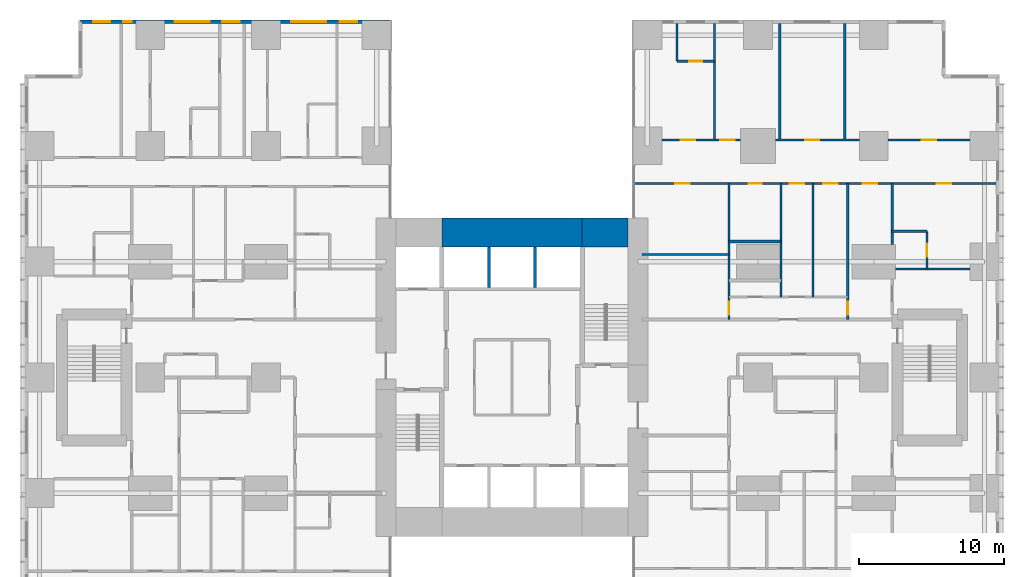
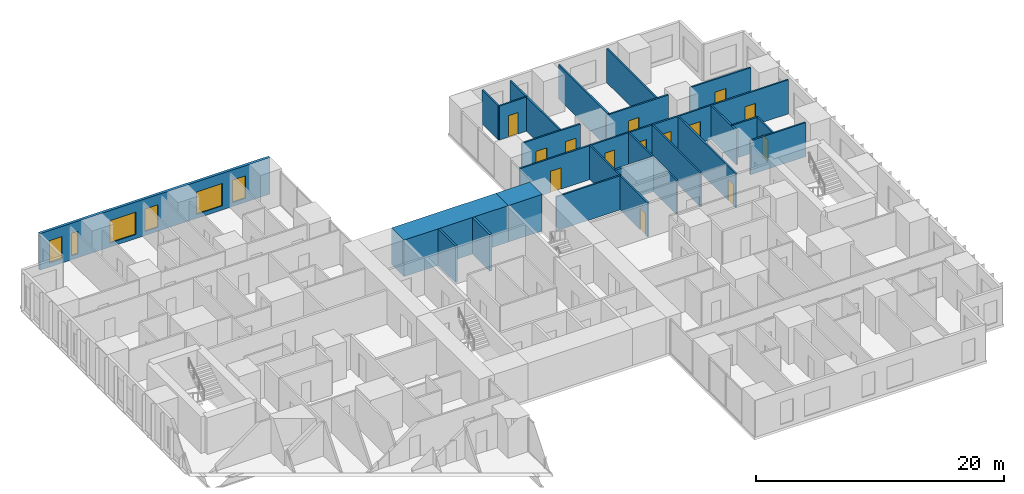
# One storey, part 18 of 21: 24 walls, 14 doors, 6 windows, 20 openings.
"""IFC4 building model written with IfcOpenShell, lengths in metres."""

from ifc_helpers import new_model, si_unit, direction, frame, frame_2d, origin, place, context, subcontext, project, spatial, rectangle, extrude, material, layer, layer_set, type_object, element, fill, save


model = new_model("IFC4")

# Units and contexts
model_context = context("Model", 3, precision=1e-05, world=origin(), true_north=direction((0.0, 1.0)))
body_context = subcontext(model_context, "Body", "Model", "MODEL_VIEW")
ifc_project = project(units=[si_unit("LENGTHUNIT", "METRE"), si_unit("AREAUNIT", "SQUARE_METRE"), si_unit("VOLUMEUNIT", "CUBIC_METRE"), si_unit("PLANEANGLEUNIT", "RADIAN"), si_unit("MASSUNIT", "GRAM", prefix="KILO")], contexts=[model_context])

# Site, building, storey
site_placement = place(None, origin())
site = spatial("IfcSite", under=ifc_project, at=site_placement, CompositionType="ELEMENT")
building_placement = place(site_placement, origin())
building = spatial("IfcBuilding", under=site, at=building_placement, Name="Cleftline Residences", CompositionType="ELEMENT")
storey_placement = place(building_placement, frame((0.0, 0.0, 125.0)))
storey = spatial("IfcBuildingStorey", under=building, at=storey_placement, Name="L32", CompositionType="ELEMENT", Elevation=125.0)

# Walls
ifc_material_1 = material(Name="Concrete B70", Category="concrete")
ifc_layer_1 = layer(ifc_material_1, 2.0)
ifc_layer_set_1 = layer_set([ifc_layer_1], Name="CORE WALL 2000")
wall_type_1 = type_object("IfcWallType", Name="CORE WALL 2000", PredefinedType="SHEAR", material=ifc_layer_set_1)
wall_1_placement = place(storey_placement, frame((28.14990234375, 34.0, 0.0), z_axis=(0.0, 0.0, 1.0), x_axis=(1.0, 0.0, 0.0)))
element("IfcWall", 1, at=wall_1_placement, inside=storey, type_object=wall_type_1, Name="Core wall N2", PredefinedType="SHEAR", context=body_context, shape_type="SweptSolid", body=[
    extrude(rectangle(XDim=9.7001953125, YDim=2.0, at=frame_2d((4.85009765625, 0.0))), origin(), (0.0, 0.0, 1.0), 3.60009765625),
])
wall_2_placement = place(storey_placement, frame((37.85009765625, 34.0, 0.0), z_axis=(0.0, 0.0, 1.0), x_axis=(1.0, 0.0, 0.0)))
element("IfcWall", 2, at=wall_2_placement, inside=storey, type_object=wall_type_1, Name="Core wall N3", PredefinedType="SHEAR", context=body_context, shape_type="SweptSolid", body=[
    extrude(rectangle(XDim=3.14990234375, YDim=2.0, at=frame_2d((1.574951171875, 0.0))), origin(), (0.0, 0.0, 1.0), 3.60009765625),
])

# Wall, openings, windows
ifc_material_2 = material(Name="Rendered reinforced concrete blockwork", Category="masonry")
ifc_layer_2 = layer(ifc_material_2, 0.25)
ifc_layer_set_2 = layer_set([ifc_layer_2], Name="EXTERNAL WALL 250")
wall_type_2 = type_object("IfcWallType", Name="EXTERNAL WALL 250", PredefinedType="SOLIDWALL", material=ifc_layer_set_2)
wall_3_placement = place(storey_placement, frame((24.574951171875, 48.574951171875, 0.0), z_axis=(0.0, 0.0, 1.0), x_axis=(-1.0, 0.0, 0.0)))
wall_3 = element("IfcWall", 3, at=wall_3_placement, inside=storey, type_object=wall_type_2, Name="External wall", PredefinedType="SOLIDWALL", context=body_context, shape_type="SweptSolid", body=[
    extrude(rectangle(XDim=21.39990234375, YDim=0.25, at=frame_2d((10.699951171875, 0.0))), origin(), (0.0, 0.0, 1.0), 3.60009765625),
])
opening_1_placement = place(wall_3_placement, frame((2.27490234375, 0.0, 0.39990234375)))
opening_1 = element("IfcOpeningElement", 4, at=opening_1_placement, cuts=wall_3, Name="Opening W11", PredefinedType="OPENING", context=body_context, shape_type="SweptSolid", body=[
    extrude(rectangle(XDim=1.199951171875, YDim=2.199951171875, at=frame_2d((0.60009765625, 1.10009765625))), frame((0.0, 0.135009765625, 0.0), z_axis=(0.0, -1.0, 0.0), x_axis=(1.0, 0.0, 0.0)), (0.0, 0.0, 1.0), 0.27001953125),
])
opening_2_placement = place(wall_3_placement, frame((4.425048828125, 0.0, 0.39990234375)))
opening_2 = element("IfcOpeningElement", 5, at=opening_2_placement, cuts=wall_3, Name="Opening W12", PredefinedType="OPENING", context=body_context, shape_type="SweptSolid", body=[
    extrude(rectangle(XDim=2.39990234375, YDim=2.199951171875, at=frame_2d((1.199951171875, 1.10009765625))), frame((0.0, 0.135009765625, 0.0), z_axis=(0.0, -1.0, 0.0), x_axis=(1.0, 0.0, 0.0)), (0.0, 0.0, 1.0), 0.27001953125),
])
opening_3_placement = place(wall_3_placement, frame((10.39990234375, 0.0, 0.39990234375)))
opening_3 = element("IfcOpeningElement", 6, at=opening_3_placement, cuts=wall_3, Name="Opening W11", PredefinedType="OPENING", context=body_context, shape_type="SweptSolid", body=[
    extrude(rectangle(XDim=1.199951171875, YDim=2.199951171875, at=frame_2d((0.60009765625, 1.10009765625))), frame((0.0, 0.135009765625, 0.0), z_axis=(0.0, -1.0, 0.0), x_axis=(1.0, 0.0, 0.0)), (0.0, 0.0, 1.0), 0.27001953125),
])
opening_4_placement = place(wall_3_placement, frame((12.47509765625, 0.0, 0.39990234375)))
opening_4 = element("IfcOpeningElement", 7, at=opening_4_placement, cuts=wall_3, Name="Opening W12", PredefinedType="OPENING", context=body_context, shape_type="SweptSolid", body=[
    extrude(rectangle(XDim=2.39990234375, YDim=2.199951171875, at=frame_2d((1.199951171875, 1.10009765625))), frame((0.0, 0.135009765625, 0.0), z_axis=(0.0, -1.0, 0.0), x_axis=(1.0, 0.0, 0.0)), (0.0, 0.0, 1.0), 0.27001953125),
])
opening_5_placement = place(wall_3_placement, frame((17.85009765625, 0.0, 0.39990234375)))
opening_5 = element("IfcOpeningElement", 8, at=opening_5_placement, cuts=wall_3, Name="Opening W10", PredefinedType="OPENING", context=body_context, shape_type="SweptSolid", body=[
    extrude(rectangle(XDim=0.60009765625, YDim=2.199951171875, at=frame_2d((0.300048828125, 1.10009765625))), frame((0.0, 0.135009765625, 0.0), z_axis=(0.0, -1.0, 0.0), x_axis=(1.0, 0.0, 0.0)), (0.0, 0.0, 1.0), 0.27001953125),
])
opening_6_placement = place(wall_3_placement, frame((19.324951171875, 0.0, 0.39990234375)))
opening_6 = element("IfcOpeningElement", 9, at=opening_6_placement, cuts=wall_3, Name="Opening W11", PredefinedType="OPENING", context=body_context, shape_type="SweptSolid", body=[
    extrude(rectangle(XDim=1.199951171875, YDim=2.199951171875, at=frame_2d((0.60009765625, 1.10009765625))), frame((0.0, 0.135009765625, 0.0), z_axis=(0.0, -1.0, 0.0), x_axis=(1.0, 0.0, 0.0)), (0.0, 0.0, 1.0), 0.27001953125),
])
ifc_material_3 = material(Name="Aluminium frame, clear double glazing", Category="aluminium")
window_type_1 = type_object("IfcWindowType", Name="WINDOW 1200X2200", PartitioningType="DOUBLE_PANEL_VERTICAL", PredefinedType="WINDOW", material=ifc_material_3)
window_1_placement = place(opening_1_placement, origin())
window_1 = element("IfcWindow", 10, at=window_1_placement, inside=storey, type_object=window_type_1, Name="Window", OverallHeight=2.199951171875, OverallWidth=1.199951171875, PartitioningType="SINGLE_PANEL", PredefinedType="WINDOW", context=body_context, shape_type="SweptSolid", body=[
    extrude(rectangle(XDim=1.199951171875, YDim=2.199951171875, at=frame_2d((0.60009765625, 1.10009765625))), frame((0.0, 0.030029296875, 0.0), z_axis=(0.0, -1.0, 0.0), x_axis=(1.0, 0.0, 0.0)), (0.0, 0.0, 1.0), 0.06005859375),
])
fill(opening_1, window_1)
window_2_placement = place(opening_3_placement, origin())
window_2 = element("IfcWindow", 11, at=window_2_placement, inside=storey, type_object=window_type_1, Name="Window", OverallHeight=2.199951171875, OverallWidth=1.199951171875, PartitioningType="SINGLE_PANEL", PredefinedType="WINDOW", context=body_context, shape_type="SweptSolid", body=[
    extrude(rectangle(XDim=1.199951171875, YDim=2.199951171875, at=frame_2d((0.60009765625, 1.10009765625))), frame((0.0, 0.030029296875, 0.0), z_axis=(0.0, -1.0, 0.0), x_axis=(1.0, 0.0, 0.0)), (0.0, 0.0, 1.0), 0.06005859375),
])
fill(opening_3, window_2)
window_3_placement = place(opening_6_placement, origin())
window_3 = element("IfcWindow", 12, at=window_3_placement, inside=storey, type_object=window_type_1, Name="Window", OverallHeight=2.199951171875, OverallWidth=1.199951171875, PartitioningType="SINGLE_PANEL", PredefinedType="WINDOW", context=body_context, shape_type="SweptSolid", body=[
    extrude(rectangle(XDim=1.199951171875, YDim=2.199951171875, at=frame_2d((0.60009765625, 1.10009765625))), frame((0.0, 0.030029296875, 0.0), z_axis=(0.0, -1.0, 0.0), x_axis=(1.0, 0.0, 0.0)), (0.0, 0.0, 1.0), 0.06005859375),
])
fill(opening_6, window_3)
ifc_material_4 = material(Name="Aluminium frame, clear double glazing", Category="aluminium")
window_type_2 = type_object("IfcWindowType", Name="WINDOW 2400X2200", PartitioningType="DOUBLE_PANEL_VERTICAL", PredefinedType="WINDOW", material=ifc_material_4)
window_4_placement = place(opening_2_placement, origin())
window_4 = element("IfcWindow", 13, at=window_4_placement, inside=storey, type_object=window_type_2, Name="Window", OverallHeight=2.199951171875, OverallWidth=2.39990234375, PartitioningType="SINGLE_PANEL", PredefinedType="WINDOW", context=body_context, shape_type="SweptSolid", body=[
    extrude(rectangle(XDim=2.39990234375, YDim=2.199951171875, at=frame_2d((1.199951171875, 1.10009765625))), frame((0.0, 0.030029296875, 0.0), z_axis=(0.0, -1.0, 0.0), x_axis=(1.0, 0.0, 0.0)), (0.0, 0.0, 1.0), 0.06005859375),
])
fill(opening_2, window_4)
window_5_placement = place(opening_4_placement, origin())
window_5 = element("IfcWindow", 14, at=window_5_placement, inside=storey, type_object=window_type_2, Name="Window", OverallHeight=2.199951171875, OverallWidth=2.39990234375, PartitioningType="SINGLE_PANEL", PredefinedType="WINDOW", context=body_context, shape_type="SweptSolid", body=[
    extrude(rectangle(XDim=2.39990234375, YDim=2.199951171875, at=frame_2d((1.199951171875, 1.10009765625))), frame((0.0, 0.030029296875, 0.0), z_axis=(0.0, -1.0, 0.0), x_axis=(1.0, 0.0, 0.0)), (0.0, 0.0, 1.0), 0.06005859375),
])
fill(opening_4, window_5)
ifc_material_5 = material(Name="Aluminium frame, clear double glazing", Category="aluminium")
window_type_3 = type_object("IfcWindowType", Name="WINDOW 600X2200", PartitioningType="DOUBLE_PANEL_VERTICAL", PredefinedType="WINDOW", material=ifc_material_5)
window_6_placement = place(opening_5_placement, origin())
window_6 = element("IfcWindow", 15, at=window_6_placement, inside=storey, type_object=window_type_3, Name="Window", OverallHeight=2.199951171875, OverallWidth=0.60009765625, PartitioningType="SINGLE_PANEL", PredefinedType="WINDOW", context=body_context, shape_type="SweptSolid", body=[
    extrude(rectangle(XDim=0.60009765625, YDim=2.199951171875, at=frame_2d((0.300048828125, 1.10009765625))), frame((0.0, 0.030029296875, 0.0), z_axis=(0.0, -1.0, 0.0), x_axis=(1.0, 0.0, 0.0)), (0.0, 0.0, 1.0), 0.06005859375),
])
fill(opening_5, window_6)

# Walls
ifc_material_6 = material(Name="Concrete blockwork, fire rated", Category="masonry")
ifc_layer_3 = layer(ifc_material_6, 0.199951171875)
ifc_layer_set_3 = layer_set([ifc_layer_3], Name="FIRE WALL 200")
wall_type_3 = type_object("IfcWallType", Name="FIRE WALL 200", PredefinedType="PARTITIONING", material=ifc_layer_set_3)
wall_4_placement = place(storey_placement, frame((48.0, 33.39990234375, 0.0), z_axis=(0.0, 0.0, 1.0), x_axis=(1.0, 0.0, 0.0)))
element("IfcWall", 16, at=wall_4_placement, inside=storey, type_object=wall_type_3, Name="Fire separating wall", PredefinedType="PARTITIONING", context=body_context, shape_type="SweptSolid", body=[
    extrude(rectangle(XDim=3.60009765625, YDim=0.199951171875, at=frame_2d((1.800048828125, 0.0))), origin(), (0.0, 0.0, 1.0), 3.35009765625),
])
ifc_material_7 = material(Name="Gypsum board on steel studs", Category="steel")
ifc_layer_4 = layer(ifc_material_7, 0.14990234375)
ifc_layer_set_4 = layer_set([ifc_layer_4], Name="PARTITION 150")
wall_type_4 = type_object("IfcWallType", Name="PARTITION 150", PredefinedType="PARTITIONING", material=ifc_layer_set_4)
wall_5_placement = place(storey_placement, frame((59.5, 31.5, 0.0), z_axis=(0.0, 0.0, 1.0), x_axis=(1.0, 0.0, 0.0)))
element("IfcWall", 17, at=wall_5_placement, inside=storey, type_object=wall_type_4, Name="Partition", PredefinedType="PARTITIONING", context=body_context, shape_type="SweptSolid", body=[
    extrude(rectangle(XDim=5.14990234375, YDim=0.14990234375, at=frame_2d((2.574951171875, 0.0))), origin(), (0.0, 0.0, 1.0), 3.35009765625),
])
wall_6_placement = place(storey_placement, frame((42.0, 32.5, 0.0), z_axis=(0.0, 0.0, 1.0), x_axis=(1.0, 0.0, 0.0)))
element("IfcWall", 18, at=wall_6_placement, inside=storey, type_object=wall_type_4, Name="Partition", PredefinedType="PARTITIONING", context=body_context, shape_type="SweptSolid", body=[
    extrude(rectangle(XDim=6.0, YDim=0.14990234375, at=frame_2d((3.0, 0.0))), origin(), (0.0, 0.0, 1.0), 3.35009765625),
])
wall_7_placement = place(storey_placement, frame((59.27490234375, 34.10009765625, 0.0), z_axis=(0.0, 0.0, 1.0), x_axis=(1.0, 0.0, 0.0)))
element("IfcWall", 19, at=wall_7_placement, inside=storey, type_object=wall_type_4, Name="Partition", PredefinedType="PARTITIONING", context=body_context, shape_type="SweptSolid", body=[
    extrude(rectangle(XDim=2.400146484375, YDim=0.14990234375, at=frame_2d((1.2001953125, 0.0))), origin(), (0.0, 0.0, 1.0), 3.35009765625),
])

# Wall, openings, doors
wall_8_placement = place(storey_placement, frame((41.43896484375, 37.39990234375, 0.0), z_axis=(0.0, 0.0, 1.0), x_axis=(1.0, 0.0, 0.0)))
wall_8 = element("IfcWall", 20, at=wall_8_placement, inside=storey, type_object=wall_type_4, Name="Partition", PredefinedType="PARTITIONING", context=body_context, shape_type="SweptSolid", body=[
    extrude(rectangle(XDim=25.010986328125, YDim=0.14990234375, at=frame_2d((12.50537109375, 0.0))), origin(), (0.0, 0.0, 1.0), 3.35009765625),
])
opening_7_placement = place(wall_8_placement, frame((10.760986328125, 0.0, 0.0)))
opening_7 = element("IfcOpeningElement", 21, at=opening_7_placement, cuts=wall_8, Name="Opening D2", PredefinedType="OPENING", context=body_context, shape_type="SweptSolid", body=[
    extrude(rectangle(XDim=1.0, YDim=2.10009765625, at=frame_2d((0.5, 1.050048828125))), frame((0.0, 0.0849609375, 0.0), z_axis=(0.0, -1.0, 0.0), x_axis=(1.0, 0.0, 0.0)), (0.0, 0.0, 1.0), 0.169921875),
])
opening_8_placement = place(wall_8_placement, frame((20.923583984375, 0.0, 0.0)))
opening_8 = element("IfcOpeningElement", 22, at=opening_8_placement, cuts=wall_8, Name="Opening D2", PredefinedType="OPENING", context=body_context, shape_type="SweptSolid", body=[
    extrude(rectangle(XDim=1.0, YDim=2.10009765625, at=frame_2d((0.5, 1.050048828125))), frame((0.0, 0.0849609375, 0.0), z_axis=(0.0, -1.0, 0.0), x_axis=(1.0, 0.0, 0.0)), (0.0, 0.0, 1.0), 0.169921875),
])
opening_9_placement = place(wall_8_placement, frame((15.798583984375, 0.0, 0.0)))
opening_9 = element("IfcOpeningElement", 23, at=opening_9_placement, cuts=wall_8, Name="Opening D2", PredefinedType="OPENING", context=body_context, shape_type="SweptSolid", body=[
    extrude(rectangle(XDim=1.0, YDim=2.10009765625, at=frame_2d((0.5, 1.050048828125))), frame((0.0, 0.0849609375, 0.0), z_axis=(0.0, -1.0, 0.0), x_axis=(1.0, 0.0, 0.0)), (0.0, 0.0, 1.0), 0.169921875),
])
opening_10_placement = place(wall_8_placement, frame((13.06103515625, 0.0, 0.0)))
opening_10 = element("IfcOpeningElement", 24, at=opening_10_placement, cuts=wall_8, Name="Opening D2", PredefinedType="OPENING", context=body_context, shape_type="SweptSolid", body=[
    extrude(rectangle(XDim=1.0, YDim=2.10009765625, at=frame_2d((0.5, 1.050048828125))), frame((0.0, 0.0849609375, 0.0), z_axis=(0.0, -1.0, 0.0), x_axis=(1.0, 0.0, 0.0)), (0.0, 0.0, 1.0), 0.169921875),
])
opening_11_placement = place(wall_8_placement, frame((7.910888671875, 0.0, 0.0)))
opening_11 = element("IfcOpeningElement", 25, at=opening_11_placement, cuts=wall_8, Name="Opening D1", PredefinedType="OPENING", context=body_context, shape_type="SweptSolid", body=[
    extrude(rectangle(XDim=0.89990234375, YDim=2.10009765625, at=frame_2d((0.449951171875, 1.050048828125))), frame((0.0, 0.0849609375, 0.0), z_axis=(0.0, -1.0, 0.0), x_axis=(1.0, 0.0, 0.0)), (0.0, 0.0, 1.0), 0.169921875),
])
opening_12_placement = place(wall_8_placement, frame((2.8359375, 0.0, 0.0)))
opening_12 = element("IfcOpeningElement", 26, at=opening_12_placement, cuts=wall_8, Name="Opening D2", PredefinedType="OPENING", context=body_context, shape_type="SweptSolid", body=[
    extrude(rectangle(XDim=1.0, YDim=2.10009765625, at=frame_2d((0.5, 1.050048828125))), frame((0.0, 0.0849609375, 0.0), z_axis=(0.0, -1.0, 0.0), x_axis=(1.0, 0.0, 0.0)), (0.0, 0.0, 1.0), 0.169921875),
])
ifc_material_8 = material(Name="Timber veneer on solid core", Category="wood")
door_type_1 = type_object("IfcDoorType", Name="DOOR 1000X2100", OperationType="SINGLE_SWING_LEFT", PredefinedType="DOOR", material=ifc_material_8)
door_1_placement = place(opening_7_placement, origin())
door_1 = element("IfcDoor", 27, at=door_1_placement, inside=storey, type_object=door_type_1, Name="Door to residence hall", OperationType="SINGLE_SWING_RIGHT", OverallHeight=2.10009765625, OverallWidth=1.0, PredefinedType="DOOR", context=body_context, shape_type="SweptSolid", body=[
    extrude(rectangle(XDim=1.0, YDim=2.10009765625, at=frame_2d((0.5, 1.050048828125))), frame((0.0, 0.02490234375, 0.0), z_axis=(0.0, -1.0, 0.0), x_axis=(1.0, 0.0, 0.0)), (0.0, 0.0, 1.0), 0.050048828125),
])
fill(opening_7, door_1)
door_2_placement = place(opening_8_placement, origin())
door_2 = element("IfcDoor", 28, at=door_2_placement, inside=storey, type_object=door_type_1, Name="Door to master bedroom", OperationType="SINGLE_SWING_LEFT", OverallHeight=2.10009765625, OverallWidth=1.0, PredefinedType="DOOR", context=body_context, shape_type="SweptSolid", body=[
    extrude(rectangle(XDim=1.0, YDim=2.10009765625, at=frame_2d((0.5, 1.050048828125))), frame((0.0, 0.02490234375, 0.0), z_axis=(0.0, -1.0, 0.0), x_axis=(1.0, 0.0, 0.0)), (0.0, 0.0, 1.0), 0.050048828125),
])
fill(opening_8, door_2)
door_3_placement = place(opening_9_placement, origin())
door_3 = element("IfcDoor", 29, at=door_3_placement, inside=storey, type_object=door_type_1, Name="Door to wet kitchen", OperationType="SINGLE_SWING_LEFT", OverallHeight=2.10009765625, OverallWidth=1.0, PredefinedType="DOOR", context=body_context, shape_type="SweptSolid", body=[
    extrude(rectangle(XDim=1.0, YDim=2.10009765625, at=frame_2d((0.5, 1.050048828125))), frame((0.0, 0.02490234375, 0.0), z_axis=(0.0, -1.0, 0.0), x_axis=(1.0, 0.0, 0.0)), (0.0, 0.0, 1.0), 0.050048828125),
])
fill(opening_9, door_3)
door_4_placement = place(opening_10_placement, origin())
door_4 = element("IfcDoor", 30, at=door_4_placement, inside=storey, type_object=door_type_1, Name="Door to media room", OperationType="SINGLE_SWING_LEFT", OverallHeight=2.10009765625, OverallWidth=1.0, PredefinedType="DOOR", context=body_context, shape_type="SweptSolid", body=[
    extrude(rectangle(XDim=1.0, YDim=2.10009765625, at=frame_2d((0.5, 1.050048828125))), frame((0.0, 0.02490234375, 0.0), z_axis=(0.0, -1.0, 0.0), x_axis=(1.0, 0.0, 0.0)), (0.0, 0.0, 1.0), 0.050048828125),
])
fill(opening_10, door_4)
door_5_placement = place(opening_12_placement, origin())
door_5 = element("IfcDoor", 31, at=door_5_placement, inside=storey, type_object=door_type_1, Name="Door to study", OperationType="SINGLE_SWING_RIGHT", OverallHeight=2.10009765625, OverallWidth=1.0, PredefinedType="DOOR", context=body_context, shape_type="SweptSolid", body=[
    extrude(rectangle(XDim=1.0, YDim=2.10009765625, at=frame_2d((0.5, 1.050048828125))), frame((0.0, 0.02490234375, 0.0), z_axis=(0.0, -1.0, 0.0), x_axis=(1.0, 0.0, 0.0)), (0.0, 0.0, 1.0), 0.050048828125),
])
fill(opening_12, door_5)
ifc_material_9 = material(Name="Timber veneer on solid core", Category="wood")
door_type_2 = type_object("IfcDoorType", Name="DOOR 900X2100", OperationType="SINGLE_SWING_LEFT", PredefinedType="DOOR", material=ifc_material_9)
door_6_placement = place(opening_11_placement, origin())
door_6 = element("IfcDoor", 32, at=door_6_placement, inside=storey, type_object=door_type_2, Name="Door to bedroom 2 bathroom", OperationType="SINGLE_SWING_RIGHT", OverallHeight=2.10009765625, OverallWidth=0.89990234375, PredefinedType="DOOR", context=body_context, shape_type="SweptSolid", body=[
    extrude(rectangle(XDim=0.89990234375, YDim=2.10009765625, at=frame_2d((0.449951171875, 1.050048828125))), frame((0.0, 0.02490234375, 0.0), z_axis=(0.0, -1.0, 0.0), x_axis=(1.0, 0.0, 0.0)), (0.0, 0.0, 1.0), 0.050048828125),
])
fill(opening_11, door_6)

wall_9_placement = place(storey_placement, frame((43.35009765625, 40.39990234375, 0.0), z_axis=(0.0, 0.0, 1.0), x_axis=(1.0, 0.0, 0.0)))
wall_9 = element("IfcWall", 33, at=wall_9_placement, inside=storey, type_object=wall_type_4, Name="Partition", PredefinedType="PARTITIONING", context=body_context, shape_type="SweptSolid", body=[
    extrude(rectangle(XDim=5.449951171875, YDim=0.14990234375, at=frame_2d((2.72509765625, 0.0))), origin(), (0.0, 0.0, 1.0), 3.35009765625),
])
opening_13_placement = place(wall_9_placement, frame((4.050048828125, 0.0, 0.0)))
opening_13 = element("IfcOpeningElement", 34, at=opening_13_placement, cuts=wall_9, Name="Opening D2", PredefinedType="OPENING", context=body_context, shape_type="SweptSolid", body=[
    extrude(rectangle(XDim=1.0, YDim=2.10009765625, at=frame_2d((0.5, 1.050048828125))), frame((0.0, 0.0849609375, 0.0), z_axis=(0.0, -1.0, 0.0), x_axis=(1.0, 0.0, 0.0)), (0.0, 0.0, 1.0), 0.169921875),
])
opening_14_placement = place(wall_9_placement, frame((1.324951171875, 0.0, 0.0)))
opening_14 = element("IfcOpeningElement", 35, at=opening_14_placement, cuts=wall_9, Name="Opening D2", PredefinedType="OPENING", context=body_context, shape_type="SweptSolid", body=[
    extrude(rectangle(XDim=1.0, YDim=2.10009765625, at=frame_2d((0.5, 1.050048828125))), frame((0.0, 0.0849609375, 0.0), z_axis=(0.0, -1.0, 0.0), x_axis=(1.0, 0.0, 0.0)), (0.0, 0.0, 1.0), 0.169921875),
])
door_7_placement = place(opening_13_placement, origin())
door_7 = element("IfcDoor", 36, at=door_7_placement, inside=storey, type_object=door_type_1, Name="Door to show kitchen", OperationType="SINGLE_SWING_LEFT", OverallHeight=2.10009765625, OverallWidth=1.0, PredefinedType="DOOR", context=body_context, shape_type="SweptSolid", body=[
    extrude(rectangle(XDim=1.0, YDim=2.10009765625, at=frame_2d((0.5, 1.050048828125))), frame((0.0, 0.02490234375, 0.0), z_axis=(0.0, -1.0, 0.0), x_axis=(1.0, 0.0, 0.0)), (0.0, 0.0, 1.0), 0.050048828125),
])
fill(opening_13, door_7)
door_8_placement = place(opening_14_placement, origin())
door_8 = element("IfcDoor", 37, at=door_8_placement, inside=storey, type_object=door_type_1, Name="Door to bedroom 3", OperationType="SINGLE_SWING_RIGHT", OverallHeight=2.10009765625, OverallWidth=1.0, PredefinedType="DOOR", context=body_context, shape_type="SweptSolid", body=[
    extrude(rectangle(XDim=1.0, YDim=2.10009765625, at=frame_2d((0.5, 1.050048828125))), frame((0.0, 0.02490234375, 0.0), z_axis=(0.0, -1.0, 0.0), x_axis=(1.0, 0.0, 0.0)), (0.0, 0.0, 1.0), 0.050048828125),
])
fill(opening_14, door_8)

# Wall, opening, door
wall_10_placement = place(storey_placement, frame((51.199951171875, 40.39990234375, 0.0), z_axis=(0.0, 0.0, 1.0), x_axis=(1.0, 0.0, 0.0)))
wall_10 = element("IfcWall", 38, at=wall_10_placement, inside=storey, type_object=wall_type_4, Name="Partition", PredefinedType="PARTITIONING", context=body_context, shape_type="SweptSolid", body=[
    extrude(rectangle(XDim=5.800048828125, YDim=0.14990234375, at=frame_2d((2.89990234375, 0.0))), origin(), (0.0, 0.0, 1.0), 3.35009765625),
])
opening_15_placement = place(wall_10_placement, frame((2.050048828125, 0.0, 0.0)))
opening_15 = element("IfcOpeningElement", 39, at=opening_15_placement, cuts=wall_10, Name="Opening D2", PredefinedType="OPENING", context=body_context, shape_type="SweptSolid", body=[
    extrude(rectangle(XDim=1.0, YDim=2.10009765625, at=frame_2d((0.5, 1.050048828125))), frame((0.0, 0.0849609375, 0.0), z_axis=(0.0, -1.0, 0.0), x_axis=(1.0, 0.0, 0.0)), (0.0, 0.0, 1.0), 0.169921875),
])
door_9_placement = place(opening_15_placement, origin())
door_9 = element("IfcDoor", 40, at=door_9_placement, inside=storey, type_object=door_type_1, Name="Door to dining room", OperationType="SINGLE_SWING_RIGHT", OverallHeight=2.10009765625, OverallWidth=1.0, PredefinedType="DOOR", context=body_context, shape_type="SweptSolid", body=[
    extrude(rectangle(XDim=1.0, YDim=2.10009765625, at=frame_2d((0.5, 1.050048828125))), frame((0.0, 0.02490234375, 0.0), z_axis=(0.0, -1.0, 0.0), x_axis=(1.0, 0.0, 0.0)), (0.0, 0.0, 1.0), 0.050048828125),
])
fill(opening_15, door_9)

wall_11_placement = place(storey_placement, frame((59.0, 40.39990234375, 0.0), z_axis=(0.0, 0.0, 1.0), x_axis=(1.0, 0.0, 0.0)))
wall_11 = element("IfcWall", 41, at=wall_11_placement, inside=storey, type_object=wall_type_4, Name="Partition", PredefinedType="PARTITIONING", context=body_context, shape_type="SweptSolid", body=[
    extrude(rectangle(XDim=5.64990234375, YDim=0.14990234375, at=frame_2d((2.824951171875, 0.0))), origin(), (0.0, 0.0, 1.0), 3.35009765625),
])
opening_16_placement = place(wall_11_placement, frame((2.324951171875, 0.0, 0.0)))
opening_16 = element("IfcOpeningElement", 42, at=opening_16_placement, cuts=wall_11, Name="Opening D2", PredefinedType="OPENING", context=body_context, shape_type="SweptSolid", body=[
    extrude(rectangle(XDim=1.0, YDim=2.10009765625, at=frame_2d((0.5, 1.050048828125))), frame((0.0, 0.0849609375, 0.0), z_axis=(0.0, -1.0, 0.0), x_axis=(1.0, 0.0, 0.0)), (0.0, 0.0, 1.0), 0.169921875),
])
door_10_placement = place(opening_16_placement, origin())
door_10 = element("IfcDoor", 43, at=door_10_placement, inside=storey, type_object=door_type_1, Name="Door to sea-view lounge", OperationType="SINGLE_SWING_LEFT", OverallHeight=2.10009765625, OverallWidth=1.0, PredefinedType="DOOR", context=body_context, shape_type="SweptSolid", body=[
    extrude(rectangle(XDim=1.0, YDim=2.10009765625, at=frame_2d((0.5, 1.050048828125))), frame((0.0, 0.02490234375, 0.0), z_axis=(0.0, -1.0, 0.0), x_axis=(1.0, 0.0, 0.0)), (0.0, 0.0, 1.0), 0.050048828125),
])
fill(opening_16, door_10)

wall_12_placement = place(storey_placement, frame((44.39990234375, 45.85009765625, 0.0), z_axis=(0.0, 0.0, 1.0), x_axis=(1.0, 0.0, 0.0)))
wall_12 = element("IfcWall", 44, at=wall_12_placement, inside=storey, type_object=wall_type_4, Name="Partition", PredefinedType="PARTITIONING", context=body_context, shape_type="SweptSolid", body=[
    extrude(rectangle(XDim=2.60009765625, YDim=0.14990234375, at=frame_2d((1.300048828125, 0.0))), origin(), (0.0, 0.0, 1.0), 3.35009765625),
])
opening_17_placement = place(wall_12_placement, frame((0.85009765625, 0.0, 0.0)))
opening_17 = element("IfcOpeningElement", 45, at=opening_17_placement, cuts=wall_12, Name="Opening D1", PredefinedType="OPENING", context=body_context, shape_type="SweptSolid", body=[
    extrude(rectangle(XDim=0.89990234375, YDim=2.10009765625, at=frame_2d((0.449951171875, 1.050048828125))), frame((0.0, 0.0849609375, 0.0), z_axis=(0.0, -1.0, 0.0), x_axis=(1.0, 0.0, 0.0)), (0.0, 0.0, 1.0), 0.169921875),
])
door_11_placement = place(opening_17_placement, origin())
door_11 = element("IfcDoor", 46, at=door_11_placement, inside=storey, type_object=door_type_2, Name="Door to en-suite bathroom 3", OperationType="SINGLE_SWING_LEFT", OverallHeight=2.10009765625, OverallWidth=0.89990234375, PredefinedType="DOOR", context=body_context, shape_type="SweptSolid", body=[
    extrude(rectangle(XDim=0.89990234375, YDim=2.10009765625, at=frame_2d((0.449951171875, 1.050048828125))), frame((0.0, 0.02490234375, 0.0), z_axis=(0.0, -1.0, 0.0), x_axis=(1.0, 0.0, 0.0)), (0.0, 0.0, 1.0), 0.050048828125),
])
fill(opening_17, door_11)

# Walls
wall_13_placement = place(storey_placement, frame((44.39990234375, 45.85009765625, 0.0), z_axis=(0.0, 0.0, 1.0), x_axis=(0.0, 1.0, 0.0)))
element("IfcWall", 47, at=wall_13_placement, inside=storey, type_object=wall_type_4, Name="Partition", PredefinedType="PARTITIONING", context=body_context, shape_type="SweptSolid", body=[
    extrude(rectangle(XDim=2.599853515625, YDim=0.14990234375, at=frame_2d((1.2998046875, 0.0))), origin(), (0.0, 0.0, 1.0), 3.35009765625),
])
wall_14_placement = place(storey_placement, frame((47.0, 40.39990234375, 0.0), z_axis=(0.0, 0.0, 1.0), x_axis=(0.0, 1.0, 0.0)))
element("IfcWall", 48, at=wall_14_placement, inside=storey, type_object=wall_type_4, Name="Partition", PredefinedType="PARTITIONING", context=body_context, shape_type="SweptSolid", body=[
    extrude(rectangle(XDim=8.050048828125, YDim=0.14990234375, at=frame_2d((4.02490234375, 0.0))), origin(), (0.0, 0.0, 1.0), 3.35009765625),
])

# Wall, opening, door
wall_15_placement = place(storey_placement, frame((48.0, 28.0, 0.0), z_axis=(0.0, 0.0, 1.0), x_axis=(0.0, 1.0, 0.0)))
wall_15 = element("IfcWall", 49, at=wall_15_placement, inside=storey, type_object=wall_type_4, Name="Partition", PredefinedType="PARTITIONING", context=body_context, shape_type="SweptSolid", body=[
    extrude(rectangle(XDim=9.39990234375, YDim=0.14990234375, at=frame_2d((4.699951171875, 0.0))), origin(), (0.0, 0.0, 1.0), 3.35009765625),
])
opening_18_placement = place(wall_15_placement, frame((0.324951171875, 0.0, 0.0)))
opening_18 = element("IfcOpeningElement", 50, at=opening_18_placement, cuts=wall_15, Name="Opening D1", PredefinedType="OPENING", context=body_context, shape_type="SweptSolid", body=[
    extrude(rectangle(XDim=0.89990234375, YDim=2.10009765625, at=frame_2d((0.449951171875, 1.050048828125))), frame((0.0, 0.0849609375, 0.0), z_axis=(0.0, -1.0, 0.0), x_axis=(1.0, 0.0, 0.0)), (0.0, 0.0, 1.0), 0.169921875),
])
door_12_placement = place(opening_18_placement, origin())
door_12 = element("IfcDoor", 51, at=door_12_placement, inside=storey, type_object=door_type_2, Name="Door to utility room", OperationType="SINGLE_SWING_RIGHT", OverallHeight=2.10009765625, OverallWidth=0.89990234375, PredefinedType="DOOR", context=body_context, shape_type="SweptSolid", body=[
    extrude(rectangle(XDim=0.89990234375, YDim=2.10009765625, at=frame_2d((0.449951171875, 1.050048828125))), frame((0.0, 0.02490234375, 0.0), z_axis=(0.0, -1.0, 0.0), x_axis=(1.0, 0.0, 0.0)), (0.0, 0.0, 1.0), 0.050048828125),
])
fill(opening_18, door_12)

# Walls
wall_16_placement = place(storey_placement, frame((51.5, 40.39990234375, 0.0), z_axis=(0.0, 0.0, 1.0), x_axis=(0.0, 1.0, 0.0)))
element("IfcWall", 52, at=wall_16_placement, inside=storey, type_object=wall_type_4, Name="Partition", PredefinedType="PARTITIONING", context=body_context, shape_type="SweptSolid", body=[
    extrude(rectangle(XDim=8.050048828125, YDim=0.14990234375, at=frame_2d((4.02490234375, 0.0))), origin(), (0.0, 0.0, 1.0), 3.35009765625),
])
for number, where, z_axis, x_axis, name in (
    (53, (51.60009765625, 29.550048828125, 0.0), (0.0, 0.0, 1.0), (0.0, 1.0, 0.0), "Partition"),
    (54, (53.800048828125, 29.550048828125, 0.0), (0.0, 0.0, 1.0), (0.0, 1.0, 0.0), "Partition"),
):
    element("IfcWall", number, at=place(storey_placement, frame(where, z_axis=z_axis, x_axis=x_axis)), inside=storey, type_object=wall_type_4, Name=name, PredefinedType="PARTITIONING", context=body_context, shape_type="SweptSolid", body=[
        extrude(rectangle(XDim=7.849853515625, YDim=0.14990234375, at=frame_2d((3.9248046875, 0.0))), origin(), (0.0, 0.0, 1.0), 3.35009765625),
    ])
wall_17_placement = place(storey_placement, frame((56.0, 40.39990234375, 0.0), z_axis=(0.0, 0.0, 1.0), x_axis=(0.0, 1.0, 0.0)))
element("IfcWall", 55, at=wall_17_placement, inside=storey, type_object=wall_type_4, Name="Partition", PredefinedType="PARTITIONING", context=body_context, shape_type="SweptSolid", body=[
    extrude(rectangle(XDim=8.050048828125, YDim=0.14990234375, at=frame_2d((4.02490234375, 0.0))), origin(), (0.0, 0.0, 1.0), 3.35009765625),
])

# Wall, opening, door
wall_18_placement = place(storey_placement, frame((56.199951171875, 28.0, 0.0), z_axis=(0.0, 0.0, 1.0), x_axis=(0.0, 1.0, 0.0)))
wall_18 = element("IfcWall", 56, at=wall_18_placement, inside=storey, type_object=wall_type_4, Name="Partition", PredefinedType="PARTITIONING", context=body_context, shape_type="SweptSolid", body=[
    extrude(rectangle(XDim=9.39990234375, YDim=0.14990234375, at=frame_2d((4.699951171875, 0.0))), origin(), (0.0, 0.0, 1.0), 3.35009765625),
])
opening_19_placement = place(wall_18_placement, frame((0.324951171875, 0.0, 0.0)))
opening_19 = element("IfcOpeningElement", 57, at=opening_19_placement, cuts=wall_18, Name="Opening D1F30", PredefinedType="OPENING", context=body_context, shape_type="SweptSolid", body=[
    extrude(rectangle(XDim=0.89990234375, YDim=2.10009765625, at=frame_2d((0.449951171875, 1.050048828125))), frame((0.0, 0.0849609375, 0.0), z_axis=(0.0, -1.0, 0.0), x_axis=(1.0, 0.0, 0.0)), (0.0, 0.0, 1.0), 0.169921875),
])
ifc_material_10 = material(Name="Timber veneer on solid core", Category="wood")
door_type_3 = type_object("IfcDoorType", Name="DOOR 900X2100 EI 30", OperationType="SINGLE_SWING_LEFT", PredefinedType="DOOR", material=ifc_material_10)
door_13_placement = place(opening_19_placement, origin())
door_13 = element("IfcDoor", 58, at=door_13_placement, inside=storey, type_object=door_type_3, Name="Door to residence lobby", OperationType="SINGLE_SWING_RIGHT", OverallHeight=2.10009765625, OverallWidth=0.89990234375, PredefinedType="DOOR", context=body_context, shape_type="SweptSolid", body=[
    extrude(rectangle(XDim=0.89990234375, YDim=2.10009765625, at=frame_2d((0.449951171875, 1.050048828125))), frame((0.0, 0.02490234375, 0.0), z_axis=(0.0, -1.0, 0.0), x_axis=(1.0, 0.0, 0.0)), (0.0, 0.0, 1.0), 0.050048828125),
])
fill(opening_19, door_13)

# Wall
wall_19_placement = place(storey_placement, frame((59.27490234375, 33.199951171875, 0.0), z_axis=(0.0, 0.0, 1.0), x_axis=(0.0, 1.0, 0.0)))
element("IfcWall", 59, at=wall_19_placement, inside=storey, type_object=wall_type_4, Name="Partition", PredefinedType="PARTITIONING", context=body_context, shape_type="SweptSolid", body=[
    extrude(rectangle(XDim=4.199951171875, YDim=0.14990234375, at=frame_2d((2.10009765625, 0.0))), origin(), (0.0, 0.0, 1.0), 3.35009765625),
])

# Wall, opening, door
wall_20_placement = place(storey_placement, frame((61.675048828125, 31.5, 0.0), z_axis=(0.0, 0.0, 1.0), x_axis=(0.0, 1.0, 0.0)))
wall_20 = element("IfcWall", 60, at=wall_20_placement, inside=storey, type_object=wall_type_4, Name="Partition", PredefinedType="PARTITIONING", context=body_context, shape_type="SweptSolid", body=[
    extrude(rectangle(XDim=2.60009765625, YDim=0.14990234375, at=frame_2d((1.300048828125, 0.0))), origin(), (0.0, 0.0, 1.0), 3.35009765625),
])
opening_20_placement = place(wall_20_placement, frame((0.85009765625, 0.0, 0.0)))
opening_20 = element("IfcOpeningElement", 61, at=opening_20_placement, cuts=wall_20, Name="Opening D1", PredefinedType="OPENING", context=body_context, shape_type="SweptSolid", body=[
    extrude(rectangle(XDim=0.89990234375, YDim=2.10009765625, at=frame_2d((0.449951171875, 1.050048828125))), frame((0.0, 0.0849609375, 0.0), z_axis=(0.0, -1.0, 0.0), x_axis=(1.0, 0.0, 0.0)), (0.0, 0.0, 1.0), 0.169921875),
])
door_14_placement = place(opening_20_placement, origin())
door_14 = element("IfcDoor", 62, at=door_14_placement, inside=storey, type_object=door_type_2, Name="Door to master bathroom", OperationType="SINGLE_SWING_LEFT", OverallHeight=2.10009765625, OverallWidth=0.89990234375, PredefinedType="DOOR", context=body_context, shape_type="SweptSolid", body=[
    extrude(rectangle(XDim=0.89990234375, YDim=2.10009765625, at=frame_2d((0.449951171875, 1.050048828125))), frame((0.0, 0.02490234375, 0.0), z_axis=(0.0, -1.0, 0.0), x_axis=(1.0, 0.0, 0.0)), (0.0, 0.0, 1.0), 0.050048828125),
])
fill(opening_20, door_14)

# Walls
ifc_material_11 = material(Name="Concrete blockwork, fire rated", Category="masonry")
ifc_layer_5 = layer(ifc_material_11, 0.199951171875)
ifc_layer_set_5 = layer_set([ifc_layer_5], Name="SHAFT WALL 200")
wall_type_5 = type_object("IfcWallType", Name="SHAFT WALL 200", PredefinedType="PARTITIONING", material=ifc_layer_set_5)
for number, where, z_axis, x_axis, name in (
    (63, (31.39990234375, 30.199951171875, 0.0), (0.0, 0.0, 1.0), (0.0, 1.0, 0.0), "Lift shaft wall"),
    (64, (34.60009765625, 30.199951171875, 0.0), (0.0, 0.0, 1.0), (0.0, 1.0, 0.0), "Lift shaft wall"),
):
    element("IfcWall", number, at=place(storey_placement, frame(where, z_axis=z_axis, x_axis=x_axis)), inside=storey, type_object=wall_type_5, Name=name, PredefinedType="PARTITIONING", context=body_context, shape_type="SweptSolid", body=[
        extrude(rectangle(XDim=2.800048828125, YDim=0.199951171875, at=frame_2d((1.39990234375, 0.0))), origin(), (0.0, 0.0, 1.0), 3.60009765625),
    ])

save(model, "model.ifc")
